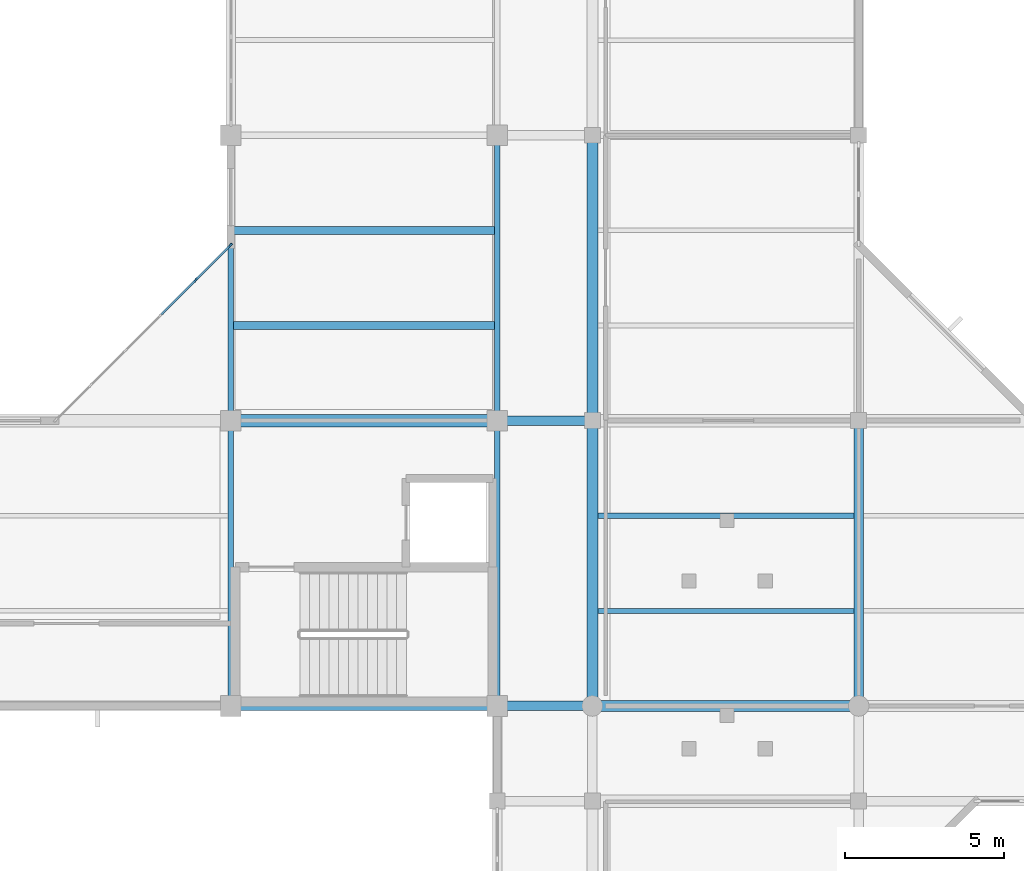
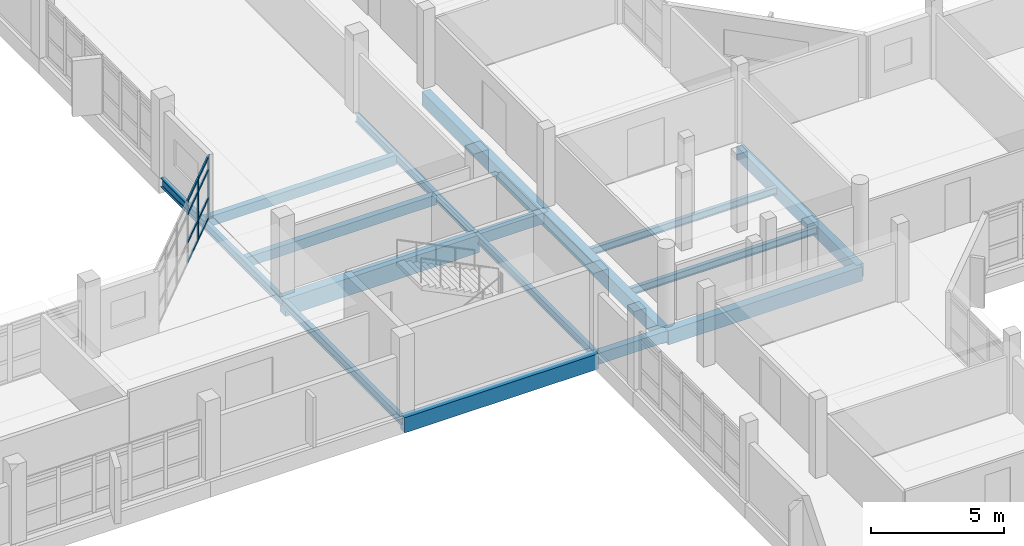
# One storey, part 22 of 104: 16 beams, 10 members, 1 element without a shape of its own.
"""IFC4 building model written with IfcOpenShell, lengths in metres."""

from ifc_helpers import new_model, si_unit, direction, frame, origin, origin_2d, place, context, subcontext, project, spatial, rectangle, i_section, extrude, material, material_profile, profile_set, type_object, element, aggregate, save


model = new_model("IFC4")

# Units and contexts
model_context = context("Model", 3, precision=1e-05, world=origin(), true_north=direction((0.0, 1.0)))
body_context = subcontext(model_context, "Body", "Model", "MODEL_VIEW")
ifc_project = project(units=[si_unit("LENGTHUNIT", "METRE"), si_unit("AREAUNIT", "SQUARE_METRE"), si_unit("VOLUMEUNIT", "CUBIC_METRE"), si_unit("PLANEANGLEUNIT", "RADIAN"), si_unit("MASSUNIT", "GRAM", prefix="KILO")], contexts=[model_context])

# Site, building, storey
site_placement = place(None, origin())
site = spatial("IfcSite", under=ifc_project, at=site_placement, CompositionType="ELEMENT")
building_placement = place(site_placement, origin())
building = spatial("IfcBuilding", under=site, at=building_placement, Name="Vanh Quang Courtyard School", CompositionType="ELEMENT")
storey_placement = place(building_placement, frame((0.0, 0.0, 4.199951171875)))
storey = spatial("IfcBuildingStorey", under=building, at=storey_placement, Name="L01", CompositionType="ELEMENT", Elevation=4.199951171875)

# Beams
ifc_material_1 = material(Name="Concrete C35/45", Category="concrete")
ifc_material_profile_1 = material_profile(ifc_material_1, rectangle(XDim=0.300048828125, YDim=0.5, at=origin_2d()), Name="RC-BM 300x500")
ifc_profile_set_1 = profile_set([ifc_material_profile_1], Name="Concrete C35/45")
beam_type_1 = type_object("IfcBeamType", Name="BM-RC-300x500", PredefinedType="BEAM", material=ifc_profile_set_1)
for number, where, z_axis, x_axis, name in (
    (1, (74.39990234375, 32.39990234375, -0.530029296875), (1.0, 0.0, 0.0), (0.0, 1.0, 0.0), "Beam B-08 (L01)"),
    (2, (74.39990234375, 41.39990234375, -0.530029296875), (1.0, 0.0, 0.0), (0.0, 1.0, 0.0), "Beam B-08 (L01)"),
):
    element("IfcBeam", number, at=place(storey_placement, frame(where, z_axis=z_axis, x_axis=x_axis)), inside=storey, type_object=beam_type_1, Name=name, PredefinedType="BEAM", context=body_context, shape_type="SweptSolid", body=[
        extrude(rectangle(XDim=0.300048828125, YDim=0.5, at=origin_2d()), origin(), (0.0, 0.0, 1.0), 3.0),
    ])
ifc_material_profile_2 = material_profile(ifc_material_1, rectangle(XDim=0.300048828125, YDim=0.60009765625, at=origin_2d()), Name="RC-BM 300x600")
ifc_profile_set_2 = profile_set([ifc_material_profile_2], Name="Concrete C35/45")
beam_type_2 = type_object("IfcBeamType", Name="BM-RC-300x600", PredefinedType="BEAM", material=ifc_profile_set_2)
beam_1_placement = place(storey_placement, frame((85.800048828125, 32.39990234375, -0.579833984375), z_axis=(0.0, 1.0, 0.0), x_axis=(-1.0, 0.0, 0.0)))
element("IfcBeam", 3, at=beam_1_placement, inside=storey, type_object=beam_type_2, Name="Beam B-06 (L01)", PredefinedType="BEAM", context=body_context, shape_type="SweptSolid", body=[
    extrude(rectangle(XDim=0.300048828125, YDim=0.60009765625, at=origin_2d()), origin(), (0.0, 0.0, 1.0), 9.0),
])
ifc_material_profile_3 = material_profile(ifc_material_1, rectangle(XDim=0.35009765625, YDim=0.64990234375, at=origin_2d()), Name="RC-BM 350x650")
ifc_profile_set_3 = profile_set([ifc_material_profile_3], Name="Concrete C35/45")
beam_type_3 = type_object("IfcBeamType", Name="BM-RC-350x650", PredefinedType="BEAM", material=ifc_profile_set_3)
beam_2_placement = place(storey_placement, frame((77.39990234375, 32.39990234375, -0.60498046875), z_axis=(1.0, 0.0, 0.0), x_axis=(0.0, 1.0, 0.0)))
element("IfcBeam", 4, at=beam_2_placement, inside=storey, type_object=beam_type_3, Name="Beam B-05 (L01)", PredefinedType="BEAM", context=body_context, shape_type="SweptSolid", body=[
    extrude(rectangle(XDim=0.35009765625, YDim=0.64990234375, at=origin_2d()), origin(), (0.0, 0.0, 1.0), 8.400146484375),
])
for number, where, z_axis, x_axis, name in (
    (5, (77.39990234375, 32.39990234375, -0.60498046875), (0.0, 1.0, 0.0), (-1.0, 0.0, 0.0), "Beam B-05 (L01)"),
    (6, (77.39990234375, 41.39990234375, -0.60498046875), (0.0, 1.0, 0.0), (-1.0, 0.0, 0.0), "Beam B-05 (L01)"),
):
    element("IfcBeam", number, at=place(storey_placement, frame(where, z_axis=z_axis, x_axis=x_axis)), inside=storey, type_object=beam_type_3, Name=name, PredefinedType="BEAM", context=body_context, shape_type="SweptSolid", body=[
        extrude(rectangle(XDim=0.35009765625, YDim=0.64990234375, at=origin_2d()), origin(), (0.0, 0.0, 1.0), 9.0),
    ])
ifc_material_profile_4 = material_profile(ifc_material_1, rectangle(XDim=0.39990234375, YDim=0.800048828125, at=origin_2d()), Name="RC-BM 400x800")
ifc_profile_set_4 = profile_set([ifc_material_profile_4], Name="Concrete C35/45")
beam_type_4 = type_object("IfcBeamType", Name="BM-RC-400x800", PredefinedType="BEAM", material=ifc_profile_set_4)
beam_3_placement = place(storey_placement, frame((66.0, 41.39990234375, -0.679931640625), z_axis=(1.0, 0.0, 0.0), x_axis=(0.0, 1.0, 0.0)))
element("IfcBeam", 7, at=beam_3_placement, inside=storey, type_object=beam_type_4, Name="Beam B-02 (L01)", PredefinedType="BEAM", context=body_context, shape_type="SweptSolid", body=[
    extrude(rectangle(XDim=0.39990234375, YDim=0.800048828125, at=origin_2d()), origin(), (0.0, 0.0, 1.0), 8.39990234375),
])
ifc_material_profile_5 = material_profile(ifc_material_1, rectangle(XDim=0.300048828125, YDim=0.699951171875, at=origin_2d()), Name="RC-SP 300x700")
ifc_profile_set_5 = profile_set([ifc_material_profile_5], Name="Concrete C35/45")
beam_type_5 = type_object("IfcBeamType", Name="BM-SP-300x700", PredefinedType="SPANDREL", material=ifc_profile_set_5)
beam_4_placement = place(storey_placement, frame((66.0, 32.39990234375, -0.6298828125), z_axis=(1.0, 0.0, 0.0), x_axis=(0.0, 1.0, 0.0)))
element("IfcBeam", 8, at=beam_4_placement, inside=storey, type_object=beam_type_5, Name="Beam BS-01 (L01)", PredefinedType="SPANDREL", context=body_context, shape_type="SweptSolid", body=[
    extrude(rectangle(XDim=0.300048828125, YDim=0.699951171875, at=origin_2d()), origin(), (0.0, 0.0, 1.0), 8.39990234375),
])
ifc_material_2 = material(Name="Structural steel EN 10025-2 S355J2", Category="steel")
ifc_material_profile_6 = material_profile(ifc_material_2, i_section(OverallWidth=0.169921875, OverallDepth=0.360107421875, WebThickness=0.008056640625, FlangeThickness=0.0126953125, FilletRadius=0.01806640625, at=origin_2d()), Name="IPE 360")
ifc_profile_set_6 = profile_set([ifc_material_profile_6], Name="Structural steel EN 10025-2 S355J2")
beam_type_6 = type_object("IfcBeamType", Name="BM-STL-IPE360", PredefinedType="BEAM", material=ifc_profile_set_6)
for number, where, z_axis, x_axis, name in (
    (9, (74.39990234375, 32.39990234375, -0.4599609375), (0.0, 1.0, 0.0), (-1.0, 0.0, 0.0), "Beam SB-06 (L01)"),
    (10, (74.39990234375, 41.39990234375, -0.4599609375), (0.0, 1.0, 0.0), (-1.0, 0.0, 0.0), "Beam SB-06 (L01)"),
):
    element("IfcBeam", number, at=place(storey_placement, frame(where, z_axis=z_axis, x_axis=x_axis)), inside=storey, type_object=beam_type_6, Name=name, PredefinedType="BEAM", context=body_context, shape_type="SweptSolid", body=[
        extrude(i_section(OverallWidth=0.169921875, OverallDepth=0.360107421875, WebThickness=0.008056640625, FlangeThickness=0.0126953125, FilletRadius=0.01806640625, at=origin_2d()), origin(), (0.0, 0.0, 1.0), 9.0),
    ])
ifc_material_profile_7 = material_profile(ifc_material_2, i_section(OverallWidth=0.179931640625, OverallDepth=0.39990234375, WebThickness=0.008544921875, FlangeThickness=0.013427734375, FilletRadius=0.02099609375, at=origin_2d()), Name="IPE 400")
ifc_profile_set_7 = profile_set([ifc_material_profile_7], Name="Structural steel EN 10025-2 S355J2")
beam_type_7 = type_object("IfcBeamType", Name="BM-STL-IPE400", PredefinedType="BEAM", material=ifc_profile_set_7)
for number, where, z_axis, x_axis, name in (
    (11, (66.0, 32.39990234375, -0.47998046875), (0.0, 1.0, 0.0), (-1.0, 0.0, 0.0), "Beam SB-05 (L01)"),
    (12, (66.0, 41.39990234375, -0.47998046875), (0.0, 1.0, 0.0), (-1.0, 0.0, 0.0), "Beam SB-05 (L01)"),
):
    element("IfcBeam", number, at=place(storey_placement, frame(where, z_axis=z_axis, x_axis=x_axis)), inside=storey, type_object=beam_type_7, Name=name, PredefinedType="BEAM", context=body_context, shape_type="SweptSolid", body=[
        extrude(i_section(OverallWidth=0.179931640625, OverallDepth=0.39990234375, WebThickness=0.008544921875, FlangeThickness=0.013427734375, FilletRadius=0.02099609375, at=origin_2d()), origin(), (0.0, 0.0, 1.0), 9.0),
    ])

# Curtain wall, members
ifc_material_3 = material(Name="Thermally broken aluminium unitised curtain wall", Category="aluminium")
curtain_wall_type = type_object("IfcCurtainWallType", Name="CW-SYS-40", PredefinedType="NOTDEFINED", material=ifc_material_3)
curtain_wall_placement = place(storey_placement, origin())
curtain_wall = element("IfcCurtainWall", 13, at=curtain_wall_placement, inside=storey, type_object=curtain_wall_type, Name="Curtain Wall CW-40 (L01)", PredefinedType="NOTDEFINED")
ifc_material_4 = material(Name="Anodised aluminium 6063-T6", Category="aluminium")
ifc_material_profile_8 = material_profile(ifc_material_4, rectangle(XDim=0.06005859375, YDim=0.159912109375, at=origin_2d()), Name="ALU-MUL 60x160")
ifc_profile_set_8 = profile_set([ifc_material_profile_8], Name="Anodised aluminium 6063-T6")
member_type_1 = type_object("IfcMemberType", Name="CW-MUL-60x160", PredefinedType="MULLION", material=ifc_profile_set_8)
member_1_placement = place(storey_placement, frame((64.89111328125, 45.835205078125, 0.0), z_axis=(0.0, 0.0, 1.0), x_axis=(-0.707106781187, 0.707106781187, 0.0)))
member_1 = element("IfcMember", 14, at=member_1_placement, type_object=member_type_1, Name="CW-40 mullion 5", PredefinedType="MULLION", context=body_context, shape_type="SweptSolid", body=[
    extrude(rectangle(XDim=0.06005859375, YDim=0.159912109375, at=origin_2d()), origin(), (0.0, 0.0, 1.0), 2.85009765625),
])
member_2_placement = place(storey_placement, frame((65.978759765625, 46.9228515625, 0.0), z_axis=(0.0, 0.0, 1.0), x_axis=(-0.707106781187, 0.707106781187, 0.0)))
member_2 = element("IfcMember", 15, at=member_2_placement, type_object=member_type_1, Name="CW-40 mullion 6", PredefinedType="MULLION", context=body_context, shape_type="SweptSolid", body=[
    extrude(rectangle(XDim=0.06005859375, YDim=0.159912109375, at=origin_2d()), origin(), (0.0, 0.0, 1.0), 2.85009765625),
])
ifc_material_profile_9 = material_profile(ifc_material_4, rectangle(XDim=0.06005859375, YDim=0.1201171875, at=origin_2d()), Name="ALU-TRN 60x120")
ifc_profile_set_9 = profile_set([ifc_material_profile_9], Name="Anodised aluminium 6063-T6")
member_type_2 = type_object("IfcMemberType", Name="CW-TRN-60x120", PredefinedType="USERDEFINED", material=ifc_profile_set_9)
member_3_placement = place(storey_placement, frame((63.8037109375, 44.74755859375, 0.030029296875), z_axis=(0.707025825577, 0.707187727529, 0.0), x_axis=(-0.707187727529, 0.707025825577, 0.0)))
member_3 = element("IfcMember", 16, at=member_3_placement, type_object=member_type_2, Name="CW-40 transom 4.1", ObjectType="TRANSOM", PredefinedType="USERDEFINED", context=body_context, shape_type="SweptSolid", body=[
    extrude(rectangle(XDim=0.06005859375, YDim=0.1201171875, at=origin_2d()), origin(), (0.0, 0.0, 1.0), 1.508056640625),
])
member_4_placement = place(storey_placement, frame((63.8037109375, 44.74755859375, 0.949951171875), z_axis=(0.707025825577, 0.707187727529, 0.0), x_axis=(-0.707187727529, 0.707025825577, 0.0)))
member_4 = element("IfcMember", 17, at=member_4_placement, type_object=member_type_2, Name="CW-40 transom 4.2", ObjectType="TRANSOM", PredefinedType="USERDEFINED", context=body_context, shape_type="SweptSolid", body=[
    extrude(rectangle(XDim=0.06005859375, YDim=0.1201171875, at=origin_2d()), origin(), (0.0, 0.0, 1.0), 1.508056640625),
])
member_5_placement = place(storey_placement, frame((63.8037109375, 44.74755859375, 2.25), z_axis=(0.707025825577, 0.707187727529, 0.0), x_axis=(-0.707187727529, 0.707025825577, 0.0)))
member_5 = element("IfcMember", 18, at=member_5_placement, type_object=member_type_2, Name="CW-40 transom 4.3", ObjectType="TRANSOM", PredefinedType="USERDEFINED", context=body_context, shape_type="SweptSolid", body=[
    extrude(rectangle(XDim=0.06005859375, YDim=0.1201171875, at=origin_2d()), origin(), (0.0, 0.0, 1.0), 1.508056640625),
])
member_6_placement = place(storey_placement, frame((63.8037109375, 44.74755859375, 2.820068359375), z_axis=(0.707025825577, 0.707187727529, 0.0), x_axis=(-0.707187727529, 0.707025825577, 0.0)))
member_6 = element("IfcMember", 19, at=member_6_placement, type_object=member_type_2, Name="CW-40 transom 4.4", ObjectType="TRANSOM", PredefinedType="USERDEFINED", context=body_context, shape_type="SweptSolid", body=[
    extrude(rectangle(XDim=0.06005859375, YDim=0.1201171875, at=origin_2d()), origin(), (0.0, 0.0, 1.0), 1.508056640625),
])
member_7_placement = place(storey_placement, frame((64.912353515625, 45.8564453125, 0.030029296875), z_axis=(0.707106781187, 0.707106781187, 0.0), x_axis=(-0.707106781187, 0.707106781187, 0.0)))
member_7 = element("IfcMember", 20, at=member_7_placement, type_object=member_type_2, Name="CW-40 transom 5.1", ObjectType="TRANSOM", PredefinedType="USERDEFINED", context=body_context, shape_type="SweptSolid", body=[
    extrude(rectangle(XDim=0.06005859375, YDim=0.1201171875, at=origin_2d()), origin(), (0.0, 0.0, 1.0), 1.47802734375),
])
member_8_placement = place(storey_placement, frame((64.912353515625, 45.8564453125, 0.949951171875), z_axis=(0.707106781187, 0.707106781187, 0.0), x_axis=(-0.707106781187, 0.707106781187, 0.0)))
member_8 = element("IfcMember", 21, at=member_8_placement, type_object=member_type_2, Name="CW-40 transom 5.2", ObjectType="TRANSOM", PredefinedType="USERDEFINED", context=body_context, shape_type="SweptSolid", body=[
    extrude(rectangle(XDim=0.06005859375, YDim=0.1201171875, at=origin_2d()), origin(), (0.0, 0.0, 1.0), 1.47802734375),
])
member_9_placement = place(storey_placement, frame((64.912353515625, 45.8564453125, 2.25), z_axis=(0.707106781187, 0.707106781187, 0.0), x_axis=(-0.707106781187, 0.707106781187, 0.0)))
member_9 = element("IfcMember", 22, at=member_9_placement, type_object=member_type_2, Name="CW-40 transom 5.3", ObjectType="TRANSOM", PredefinedType="USERDEFINED", context=body_context, shape_type="SweptSolid", body=[
    extrude(rectangle(XDim=0.06005859375, YDim=0.1201171875, at=origin_2d()), origin(), (0.0, 0.0, 1.0), 1.47802734375),
])
member_10_placement = place(storey_placement, frame((64.912353515625, 45.8564453125, 2.820068359375), z_axis=(0.707106781187, 0.707106781187, 0.0), x_axis=(-0.707106781187, 0.707106781187, 0.0)))
member_10 = element("IfcMember", 23, at=member_10_placement, type_object=member_type_2, Name="CW-40 transom 5.4", ObjectType="TRANSOM", PredefinedType="USERDEFINED", context=body_context, shape_type="SweptSolid", body=[
    extrude(rectangle(XDim=0.06005859375, YDim=0.1201171875, at=origin_2d()), origin(), (0.0, 0.0, 1.0), 1.47802734375),
])
aggregate(curtain_wall, [member_1, member_2, member_3, member_4, member_5, member_6, member_7, member_8, member_9, member_10])

# Beams
ifc_material_5 = material(Name="Concrete C30/37", Category="concrete")
ifc_material_profile_10 = material_profile(ifc_material_5, rectangle(XDim=0.25, YDim=0.449951171875, at=origin_2d()), Name="RC-JST 250x450")
ifc_profile_set_10 = profile_set([ifc_material_profile_10], Name="Concrete C30/37")
beam_type_8 = type_object("IfcBeamType", Name="JST-RC-250x450", PredefinedType="JOIST", material=ifc_profile_set_10)
for number, where, z_axis, x_axis, name in (
    (24, (66.090087890625, 44.39990234375, -0.5048828125), (1.0, 0.0, 0.0), (0.0, 1.0, 0.0), "Beam BJ-02 (L01)"),
    (25, (66.090087890625, 47.39990234375, -0.5048828125), (1.0, 0.0, 0.0), (0.0, 1.0, 0.0), "Beam BJ-02 (L01)"),
):
    element("IfcBeam", number, at=place(storey_placement, frame(where, z_axis=z_axis, x_axis=x_axis)), inside=storey, type_object=beam_type_8, Name=name, PredefinedType="JOIST", context=body_context, shape_type="SweptSolid", body=[
        extrude(rectangle(XDim=0.25, YDim=0.449951171875, at=origin_2d()), origin(), (0.0, 0.0, 1.0), 8.224853515625),
    ])
ifc_material_profile_11 = material_profile(ifc_material_2, i_section(OverallWidth=0.159912109375, OverallDepth=0.330078125, WebThickness=0.007568359375, FlangeThickness=0.011474609375, FilletRadius=0.01806640625, at=origin_2d()), Name="IPE 330")
ifc_profile_set_11 = profile_set([ifc_material_profile_11], Name="Structural steel EN 10025-2 S355J2")
beam_type_9 = type_object("IfcBeamType", Name="JST-STL-IPE330", PredefinedType="JOIST", material=ifc_profile_set_11)
for number, where, z_axis, x_axis, name in (
    (26, (77.574951171875, 35.39990234375, -0.445068359375), (1.0, 0.0, 0.0), (0.0, 1.0, 0.0), "Beam SJ-01 (L01)"),
    (27, (77.574951171875, 38.39990234375, -0.445068359375), (1.0, 0.0, 0.0), (0.0, 1.0, 0.0), "Beam SJ-01 (L01)"),
):
    element("IfcBeam", number, at=place(storey_placement, frame(where, z_axis=z_axis, x_axis=x_axis)), inside=storey, type_object=beam_type_9, Name=name, PredefinedType="JOIST", context=body_context, shape_type="SweptSolid", body=[
        extrude(i_section(OverallWidth=0.159912109375, OverallDepth=0.330078125, WebThickness=0.007568359375, FlangeThickness=0.011474609375, FilletRadius=0.01806640625, at=origin_2d()), origin(), (0.0, 0.0, 1.0), 8.074951171875),
    ])

save(model, "model.ifc")
